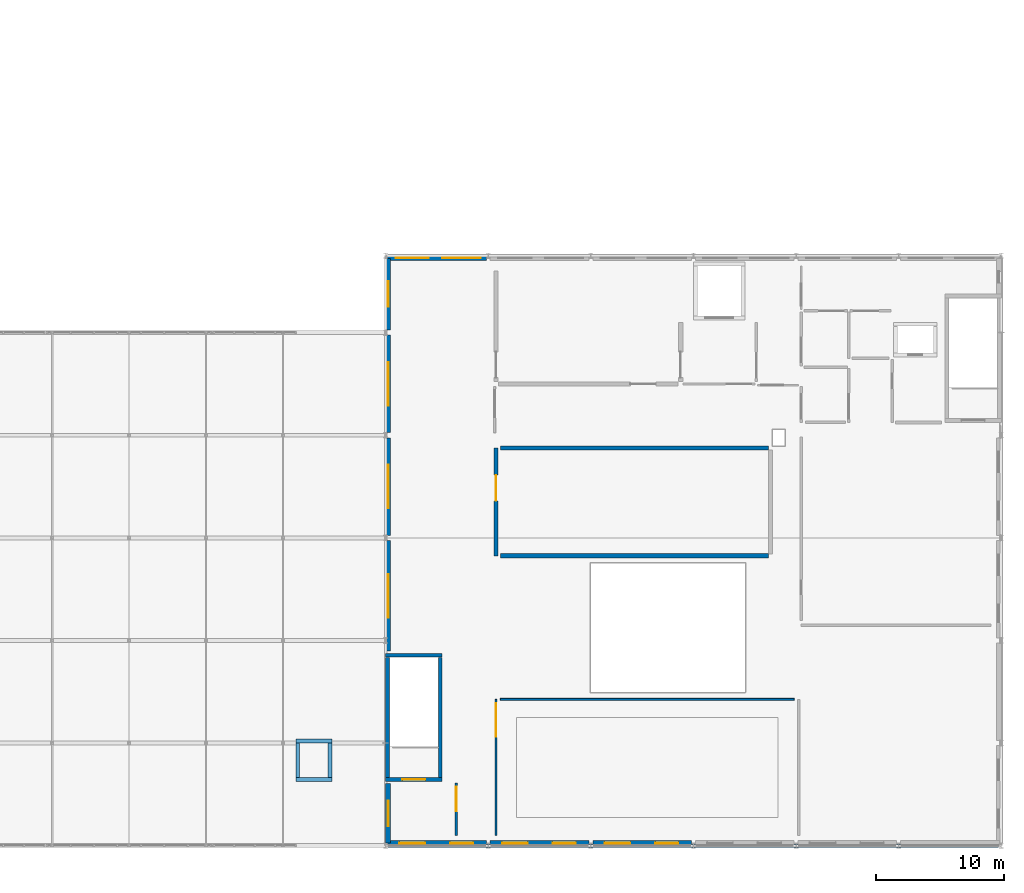
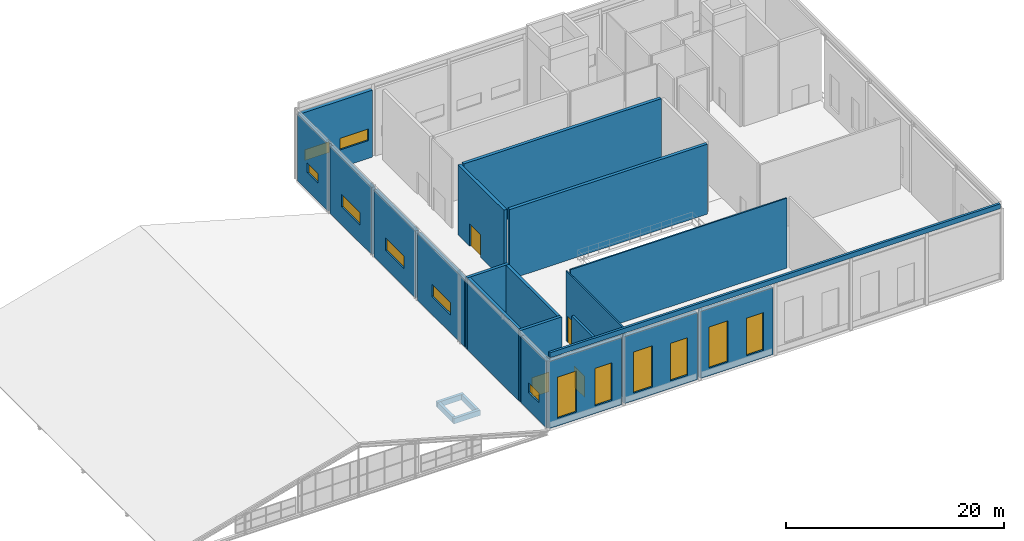
# One storey, part 41 of 49: 24 walls, 13 windows, 4 doors, 17 openings.
"""IFC4 building model written with IfcOpenShell, lengths in metres."""

import ifcopenshell
import ifcopenshell.guid

model = None  # the IFC model being written
_history = None  # IfcOwnerHistory: only IFC2X3 demands one
_inside = {}  # id of a spatial element -> (the spatial element, [elements in it])
_under = {}  # id of a project, library or spatial element -> (it, [spatial elements below it])
_declared = {}  # id of a project -> (the project, [libraries it declares])
_typed = {}  # id of a type object -> (the type object, [elements of that type])
_made_of = {}  # id of a material, layer set ... -> (it, [elements and type objects made of it])


def new_model(schema):
    """Start an empty IFC model of exactly this schema.

    Asked for "IFC4X3", IfcOpenShell would pick the latest addendum, in which some entities
    have other attributes; the version numbers below select the first issue.
    IFC2X3 requires an IfcOwnerHistory on every rooted entity: one is made here for all.
    """
    global model, _history
    if schema == "IFC4X3":
        model = ifcopenshell.file(schema_version=(4, 3, 0, 0))
    else:
        model = ifcopenshell.file(schema=schema)
    _inside.clear()
    _under.clear()
    _declared.clear()
    _typed.clear()
    _made_of.clear()
    _history = None
    if model.schema == "IFC2X3":
        org = make("IfcOrganization", Name="unknown")
        user = make(
            "IfcPersonAndOrganization",
            ThePerson=make("IfcPerson", FamilyName="unknown"),
            TheOrganization=org,
        )
        app = make(
            "IfcApplication",
            ApplicationDeveloper=org,
            Version="unknown",
            ApplicationFullName="unknown",
            ApplicationIdentifier="unknown",
        )
        _history = make(
            "IfcOwnerHistory",
            OwningUser=user,
            OwningApplication=app,
            ChangeAction="ADDED",
            CreationDate=0,
        )
    return model


def make(cls, **values):
    """One entity of the class cls with the attributes given. An attribute that is None is left unset."""
    return model.create_entity(
        cls, **{name: value for name, value in values.items() if value is not None}
    )


def rooted(cls, **values):
    """An entity with a GlobalId (a new one), such as an element, a storey or a relation."""
    return make(cls, GlobalId=ifcopenshell.guid.new(), OwnerHistory=_history, **values)


def si_unit(unit_type, name, prefix=None):
    """IfcSIUnit, for example si_unit("LENGTHUNIT", "METRE", prefix="MILLI")."""
    return make("IfcSIUnit", UnitType=unit_type, Prefix=prefix, Name=name)


def assignment(units):
    """IfcUnitAssignment: the units of a project."""
    return None if units is None else make("IfcUnitAssignment", Units=units)


def point(xyz):
    """IfcCartesianPoint."""
    return None if xyz is None else make("IfcCartesianPoint", Coordinates=xyz)


def direction(xyz):
    """IfcDirection."""
    return None if xyz is None else make("IfcDirection", DirectionRatios=xyz)


def frame(location, z_axis=None, x_axis=None):
    """IfcAxis2Placement3D, a coordinate frame: its origin and axes. An axis left out is left unset."""
    return make(
        "IfcAxis2Placement3D",
        Location=point(location),
        Axis=direction(z_axis),
        RefDirection=direction(x_axis),
    )


def frame_2d(location, x_axis=None):
    """IfcAxis2Placement2D, a coordinate frame in the plane: its origin and x axis."""
    return make(
        "IfcAxis2Placement2D", Location=point(location), RefDirection=direction(x_axis)
    )


def origin():
    """The frame at (0, 0, 0) with its axes left unset."""
    return frame((0.0, 0.0, 0.0))


def place(relative_to, where):
    """IfcLocalPlacement: puts the frame where relative to a parent placement (None: the world)."""
    return make(
        "IfcLocalPlacement", PlacementRelTo=relative_to, RelativePlacement=where
    )


def context(
    kind, dimensions, precision=None, world=None, true_north=None, identifier=None
):
    """IfcGeometricRepresentationContext, for example the 3D "Model" context."""
    return make(
        "IfcGeometricRepresentationContext",
        ContextIdentifier=identifier,
        ContextType=kind,
        CoordinateSpaceDimension=dimensions,
        Precision=precision,
        WorldCoordinateSystem=world,
        TrueNorth=true_north,
    )


def subcontext(parent, identifier, kind, view, scale=None):
    """IfcGeometricRepresentationSubContext, for example "Body" below "Model"."""
    return make(
        "IfcGeometricRepresentationSubContext",
        ContextIdentifier=identifier,
        ContextType=kind,
        ParentContext=parent,
        TargetScale=scale,
        TargetView=view,
    )


def project(units=None, contexts=None):
    """IfcProject with its units and contexts."""
    return rooted(
        "IfcProject",
        Name="project",
        RepresentationContexts=contexts,
        UnitsInContext=assignment(units),
    )


def spatial(cls, under=None, at=None, **own):
    """A site, building, storey or space (cls), placed at a placement, below another one or the project."""
    s = rooted(cls, ObjectPlacement=at, **own)
    if under is not None:
        _under.setdefault(under.id(), (under, []))[1].append(s)
    return s


def profile(cls, at=None, kind="AREA", **sizes):
    """A parametric profile (cls). Its sizes go by their IFC names, for example OverallWidth=200.0."""
    return make(cls, ProfileType=kind, Position=at, **sizes)


def rectangle(**sizes):
    """IfcRectangleProfileDef."""
    return profile("IfcRectangleProfileDef", **sizes)


def extrude(swept, where, along, depth):
    """IfcExtrudedAreaSolid: the profile swept, set in the frame where, extruded along a direction by depth."""
    return make(
        "IfcExtrudedAreaSolid",
        SweptArea=swept,
        Position=where,
        ExtrudedDirection=direction(along),
        Depth=depth,
    )


def shape(context_of_items, identifier, shape_type, items):
    """IfcShapeRepresentation: the items that make up one representation, for example the "Body"."""
    return make(
        "IfcShapeRepresentation",
        ContextOfItems=context_of_items,
        RepresentationIdentifier=identifier,
        RepresentationType=shape_type,
        Items=items,
    )


def material(Name=None, Category=None):
    """IfcMaterial."""
    return make("IfcMaterial", Name=Name, Category=Category)


def layer(
    of_material, thickness, ventilated=None, Name=None, Category=None, Priority=None
):
    """IfcMaterialLayer: one layer of a wall or slab, of a material (None: an air gap)."""
    return make(
        "IfcMaterialLayer",
        Material=of_material,
        LayerThickness=thickness,
        IsVentilated=ventilated,
        Name=Name,
        Category=Category,
        Priority=Priority,
    )


def layer_set(layers, Name=None):
    """IfcMaterialLayerSet."""
    return make("IfcMaterialLayerSet", MaterialLayers=layers, LayerSetName=Name)


def made_of(thing, what):
    """Note that an element or type object is made of a material, layer set ...; save() writes the relation."""
    if what is not None:
        _made_of.setdefault(what.id(), (what, []))[1].append(thing)
    return thing


def type_object(cls, material=None, **own):
    """A type object (cls), such as IfcWallType, which elements share."""
    return made_of(rooted(cls, **own), material)


def element(
    cls,
    number,
    at=None,
    inside=None,
    cuts=None,
    type_object=None,
    material=None,
    context=None,
    identifier="Body",
    shape_type=None,
    held_by="IfcProductDefinitionShape",
    body=None,
    shapes=None,
    **own,
):
    """One element of the class cls, such as IfcWall. Its Tag is "e" and its number.

    at: its placement. inside: the storey or other place that contains it. cuts: it is an
    opening in that element (IfcRelVoidsElement). A single representation is given by context,
    identifier, shape_type and body (its items); several are given by shapes. held_by: the class
    of the entity that holds the representations. save() writes the other relations.
    """
    e = rooted(cls, Tag="e%d" % number, ObjectPlacement=at, **own)
    if body is not None:
        shapes = [shape(context, identifier, shape_type, body)]
    if shapes is not None:
        e.Representation = make(held_by, Representations=shapes)
    if inside is not None:
        _inside.setdefault(inside.id(), (inside, []))[1].append(e)
    if cuts is not None:
        rooted(
            "IfcRelVoidsElement", RelatingBuildingElement=cuts, RelatedOpeningElement=e
        )
    if type_object is not None:
        _typed.setdefault(type_object.id(), (type_object, []))[1].append(e)
    return made_of(e, material)


def fill(opening, filler):
    """IfcRelFillsElement: the door or window that sits in an opening."""
    return rooted(
        "IfcRelFillsElement",
        RelatingOpeningElement=opening,
        RelatedBuildingElement=filler,
    )


def aggregate(whole, parts):
    """IfcRelAggregates: a whole, such as a stair, and the parts it consists of."""
    return rooted("IfcRelAggregates", RelatingObject=whole, RelatedObjects=parts)


def save(model, path):
    """Write the relations noted so far, then the file.

    IfcRelAggregates (storeys below a building ...), IfcRelContainedInSpatialStructure (elements
    in a storey), IfcRelDefinesByType, IfcRelAssociatesMaterial and IfcRelDeclares: one each for
    every whole, place, type object, material and project.
    """
    for whole, parts in _under.values():
        aggregate(whole, parts)
    for where, things in _inside.values():
        rooted(
            "IfcRelContainedInSpatialStructure",
            RelatedElements=things,
            RelatingStructure=where,
        )
    for kind, things in _typed.values():
        rooted("IfcRelDefinesByType", RelatedObjects=things, RelatingType=kind)
    for what, things in _made_of.values():
        rooted("IfcRelAssociatesMaterial", RelatedObjects=things, RelatingMaterial=what)
    for by, libraries in _declared.values():
        rooted("IfcRelDeclares", RelatingContext=by, RelatedDefinitions=libraries)
    model.write(path)


model = new_model("IFC4")

# Units and contexts
model_context = context("Model", 3, precision=1e-05, world=origin(), true_north=direction((0.0, 1.0)))
body_context = subcontext(model_context, "Body", "Model", "MODEL_VIEW")
ifc_project = project(units=[si_unit("LENGTHUNIT", "METRE"), si_unit("AREAUNIT", "SQUARE_METRE"), si_unit("VOLUMEUNIT", "CUBIC_METRE"), si_unit("PLANEANGLEUNIT", "RADIAN"), si_unit("MASSUNIT", "GRAM", prefix="KILO")], contexts=[model_context])

# Site, building, storey
site_placement = place(None, origin())
site = spatial("IfcSite", under=ifc_project, at=site_placement, CompositionType="ELEMENT")
building_placement = place(site_placement, origin())
building = spatial("IfcBuilding", under=site, at=building_placement, Name="Sundkrona Museum", CompositionType="ELEMENT")
storey_placement = place(building_placement, frame((0.0, 0.0, 26.0)))
storey = spatial("IfcBuildingStorey", under=building, at=storey_placement, Name="L05", CompositionType="ELEMENT", Elevation=26.0)

# Wall, opening, door
ifc_material_1 = material(Name="Concrete C40/50", Category="concrete")
ifc_layer_1 = layer(ifc_material_1, 0.330078125)
ifc_layer_set_1 = layer_set([ifc_layer_1], Name="Concrete C40/50")
wall_type_1 = type_object("IfcWallType", Name="W-ARC-120", PredefinedType="SOLIDWALL", material=ifc_layer_set_1)
wall_1_placement = place(storey_placement, frame((128.60009765625, 22.60009765625, 0.0), z_axis=(0.0, 0.0, 1.0), x_axis=(0.0, 1.0, 0.0)))
wall_1 = element("IfcWall", 1, at=wall_1_placement, inside=storey, type_object=wall_type_1, Name="L05 Partition Crown Sawtooth Concourse / Herbarium Specimen Archive", PredefinedType="SOLIDWALL", context=body_context, shape_type="SweptSolid", body=[
    extrude(rectangle(XDim=8.39990234375, YDim=0.330078125, at=frame_2d((4.199951171875, 0.0))), origin(), (0.0, 0.0, 1.0), 7.820068359375),
])
opening_1_placement = place(wall_1_placement, frame((4.28759765625, 0.0, 0.0)))
opening_1 = element("IfcOpeningElement", 2, at=opening_1_placement, cuts=wall_1, Name="Opening D-ARC-120", PredefinedType="OPENING", context=body_context, shape_type="SweptSolid", body=[
    extrude(rectangle(XDim=2.0, YDim=2.5, at=frame_2d((1.0, 1.25))), frame((0.0, 0.175048828125, 0.0), z_axis=(0.0, -1.0, 0.0), x_axis=(1.0, 0.0, 0.0)), (0.0, 0.0, 1.0), 0.35009765625),
])
ifc_material_2 = material(Name="Insulated Steel Vault Door", Category="steel")
door_type_1 = type_object("IfcDoorType", Name="D-ARC-120", OperationType="DOUBLE_DOOR_SINGLE_SWING", PredefinedType="DOOR", material=ifc_material_2)
door_1_placement = place(opening_1_placement, origin())
door_1 = element("IfcDoor", 3, at=door_1_placement, inside=storey, type_object=door_type_1, Name="L05 Interior Door DR-ADJ-L05-0218", OperationType="DOUBLE_DOOR_SINGLE_SWING", OverallHeight=2.5, OverallWidth=2.0, PredefinedType="DOOR", context=body_context, shape_type="SweptSolid", body=[
    extrude(rectangle(XDim=2.0, YDim=2.5, at=frame_2d((1.0, 1.25))), frame((0.0, 0.02490234375, 0.0), z_axis=(0.0, -1.0, 0.0), x_axis=(1.0, 0.0, 0.0)), (0.0, 0.0, 1.0), 0.050048828125),
])
fill(opening_1, door_1)

# Walls
for number, where, z_axis, x_axis, name in (
    (4, (128.949951171875, 22.60009765625, 0.0), (0.0, 0.0, 1.0), (1.0, 0.0, 0.0), "L05 Herbarium Specimen Archive Enclosure Wall S"),
    (5, (128.949951171875, 31.0, 0.0), (0.0, 0.0, 1.0), (1.0, 0.0, 0.0), "L05 Herbarium Specimen Archive Enclosure Wall N"),
):
    element("IfcWall", number, at=place(storey_placement, frame(where, z_axis=z_axis, x_axis=x_axis)), inside=storey, type_object=wall_type_1, Name=name, PredefinedType="SOLIDWALL", context=body_context, shape_type="SweptSolid", body=[
        extrude(rectangle(XDim=20.900146484375, YDim=0.330078125, at=frame_2d((10.4501953125, 0.0))), origin(), (0.0, 0.0, 1.0), 7.820068359375),
    ])

# Wall, opening, door
ifc_layer_2 = layer(ifc_material_1, 0.300048828125)
ifc_layer_set_2 = layer_set([ifc_layer_2], Name="Concrete C40/50")
wall_type_2 = type_object("IfcWallType", Name="W-CORE-300", PredefinedType="SHEAR", material=ifc_layer_set_2)
wall_2_placement = place(storey_placement, frame((120.0, 5.14990234375, 0.0), z_axis=(0.0, 0.0, 1.0), x_axis=(1.0, 0.0, 0.0)))
wall_2 = element("IfcWall", 6, at=wall_2_placement, inside=storey, type_object=wall_type_2, Name="L05 ST-2 Core Shear Wall South", PredefinedType="SHEAR", context=body_context, shape_type="SweptSolid", body=[
    extrude(rectangle(XDim=4.39990234375, YDim=0.300048828125, at=frame_2d((2.199951171875, 0.0))), origin(), (0.0, 0.0, 1.0), 8.0),
])
opening_2_placement = place(wall_2_placement, frame((1.300048828125, 0.0, 0.0)))
opening_2 = element("IfcOpeningElement", 7, at=opening_2_placement, cuts=wall_2, Name="Opening D-FD60", PredefinedType="OPENING", context=body_context, shape_type="SweptSolid", body=[
    extrude(rectangle(XDim=1.800048828125, YDim=2.199951171875, at=frame_2d((0.89990234375, 1.10009765625))), frame((0.0, 0.159912109375, 0.0), z_axis=(0.0, -1.0, 0.0), x_axis=(1.0, 0.0, 0.0)), (0.0, 0.0, 1.0), 0.320068359375),
])
ifc_material_3 = material(Name="Steel S355J2 Fire Door Leaf", Category="steel")
door_type_2 = type_object("IfcDoorType", Name="D-FD60", OperationType="DOUBLE_DOOR_SINGLE_SWING", PredefinedType="DOOR", material=ifc_material_3)
door_2_placement = place(opening_2_placement, origin())
door_2 = element("IfcDoor", 8, at=door_2_placement, inside=storey, type_object=door_type_2, Name="L05 ST-2 Protected Escape Stair Door DR-ST-2-L05", OperationType="DOUBLE_DOOR_SINGLE_SWING", OverallHeight=2.199951171875, OverallWidth=1.800048828125, PredefinedType="DOOR", context=body_context, shape_type="SweptSolid", body=[
    extrude(rectangle(XDim=1.800048828125, YDim=2.199951171875, at=frame_2d((0.89990234375, 1.10009765625))), frame((0.0, 0.02490234375, 0.0), z_axis=(0.0, -1.0, 0.0), x_axis=(1.0, 0.0, 0.0)), (0.0, 0.0, 1.0), 0.050048828125),
])
fill(opening_2, door_2)

# Walls
wall_3_placement = place(storey_placement, frame((120.0, 14.85009765625, 0.0), z_axis=(0.0, 0.0, 1.0), x_axis=(1.0, 0.0, 0.0)))
element("IfcWall", 9, at=wall_3_placement, inside=storey, type_object=wall_type_2, Name="L05 ST-2 Core Shear Wall North", PredefinedType="SHEAR", context=body_context, shape_type="SweptSolid", body=[
    extrude(rectangle(XDim=4.39990234375, YDim=0.300048828125, at=frame_2d((2.199951171875, 0.0))), origin(), (0.0, 0.0, 1.0), 8.0),
])
for number, where, z_axis, x_axis, name in (
    (10, (120.14990234375, 5.31005859375, 0.0), (0.0, 0.0, 1.0), (0.0, 1.0, 0.0), "L05 ST-2 Core Shear Wall West"),
    (11, (124.25, 5.31005859375, 0.0), (0.0, 0.0, 1.0), (0.0, 1.0, 0.0), "L05 ST-2 Core Shear Wall East"),
):
    element("IfcWall", number, at=place(storey_placement, frame(where, z_axis=z_axis, x_axis=x_axis)), inside=storey, type_object=wall_type_2, Name=name, PredefinedType="SHEAR", context=body_context, shape_type="SweptSolid", body=[
        extrude(rectangle(XDim=9.3798828125, YDim=0.300048828125, at=frame_2d((4.68994140625, 0.0))), origin(), (0.0, 0.0, 1.0), 8.0),
    ])
for number, where, z_axis, x_axis, name in (
    (12, (113.0, 5.14990234375, 0.0), (0.0, 0.0, 1.0), (1.0, 0.0, 0.0), "PL-2 Lift Overrun Wall South"),
    (13, (113.0, 8.14990234375, 0.0), (0.0, 0.0, 1.0), (1.0, 0.0, 0.0), "PL-2 Lift Overrun Wall North"),
):
    element("IfcWall", number, at=place(storey_placement, frame(where, z_axis=z_axis, x_axis=x_axis)), inside=storey, type_object=wall_type_2, Name=name, PredefinedType="SHEAR", context=body_context, shape_type="SweptSolid", body=[
        extrude(rectangle(XDim=2.800048828125, YDim=0.300048828125, at=frame_2d((1.39990234375, 0.0))), origin(), (0.0, 0.0, 1.0), 0.60009765625),
    ])
for number, where, z_axis, x_axis, name in (
    (14, (113.14990234375, 5.31005859375, 0.0), (0.0, 0.0, 1.0), (0.0, 1.0, 0.0), "PL-2 Lift Overrun Wall West"),
    (15, (115.64990234375, 5.31005859375, 0.0), (0.0, 0.0, 1.0), (0.0, 1.0, 0.0), "PL-2 Lift Overrun Wall East"),
):
    element("IfcWall", number, at=place(storey_placement, frame(where, z_axis=z_axis, x_axis=x_axis)), inside=storey, type_object=wall_type_2, Name=name, PredefinedType="SHEAR", context=body_context, shape_type="SweptSolid", body=[
        extrude(rectangle(XDim=2.679931640625, YDim=0.300048828125, at=frame_2d((1.33984375, 0.0))), origin(), (0.0, 0.0, 1.0), 0.60009765625),
    ])

# Wall, openings, windows
ifc_material_4 = material(Name="Scanian Polychrome Clay Brickwork 390 mm", Category="masonry")
ifc_layer_3 = layer(ifc_material_4, 0.389892578125)
ifc_layer_set_3 = layer_set([ifc_layer_3], Name="Scanian Polychrome Clay Brickwork 390 mm")
wall_type_3 = type_object("IfcWallType", Name="W-EX-390", PredefinedType="SOLIDWALL", material=ifc_layer_set_3)
wall_4_placement = place(storey_placement, frame((127.847900390625, 0.195068359375, 0.0), z_axis=(0.0, 0.0, 1.0), x_axis=(-1.0, 0.0, 0.0)))
wall_4 = element("IfcWall", 16, at=wall_4_placement, inside=storey, type_object=wall_type_3, Name="L05 Facade Wall 0068", PredefinedType="SOLIDWALL", context=body_context, shape_type="SweptSolid", body=[
    extrude(rectangle(XDim=7.69580078125, YDim=0.389892578125, at=frame_2d((3.847900390625, 0.0))), origin(), (0.0, 0.0, 1.0), 7.4951171875),
])
opening_3_placement = place(wall_4_placement, frame((1.02392578125, 0.0, 0.85009765625)))
opening_3 = element("IfcOpeningElement", 17, at=opening_3_placement, cuts=wall_4, Name="Opening WN-LN-180x420", PredefinedType="OPENING", context=body_context, shape_type="SweptSolid", body=[
    extrude(rectangle(XDim=1.800048828125, YDim=4.199951171875, at=frame_2d((0.89990234375, 2.10009765625))), frame((0.0, 0.204833984375, 0.0), z_axis=(0.0, -1.0, 0.0), x_axis=(1.0, 0.0, 0.0)), (0.0, 0.0, 1.0), 0.409912109375),
])
opening_4_placement = place(wall_4_placement, frame((4.77197265625, 0.0, 0.85009765625)))
opening_4 = element("IfcOpeningElement", 18, at=opening_4_placement, cuts=wall_4, Name="Opening WN-LN-200x460", PredefinedType="OPENING", context=body_context, shape_type="SweptSolid", body=[
    extrude(rectangle(XDim=2.0, YDim=4.60009765625, at=frame_2d((1.0, 2.300048828125))), frame((0.0, 0.204833984375, 0.0), z_axis=(0.0, -1.0, 0.0), x_axis=(1.0, 0.0, 0.0)), (0.0, 0.0, 1.0), 0.409912109375),
])
ifc_material_5 = material(Name="Triple Low-E Argon Glazing in Bronze-Anodised Aluminium", Category="aluminium")
window_type_1 = type_object("IfcWindowType", Name="WN-LN-180x420", PartitioningType="DOUBLE_PANEL_VERTICAL", PredefinedType="WINDOW", material=ifc_material_5)
window_1_placement = place(opening_3_placement, origin())
window_1 = element("IfcWindow", 19, at=window_1_placement, inside=storey, type_object=window_type_1, Name="L05 Paleontology hall tall window 1800x4200 WIN-L05-0091", OverallHeight=4.199951171875, OverallWidth=1.800048828125, PartitioningType="DOUBLE_PANEL_VERTICAL", PredefinedType="WINDOW", context=body_context, shape_type="SweptSolid", body=[
    extrude(rectangle(XDim=1.800048828125, YDim=4.199951171875, at=frame_2d((0.89990234375, 2.10009765625))), frame((0.0, 0.030029296875, 0.0), z_axis=(0.0, -1.0, 0.0), x_axis=(1.0, 0.0, 0.0)), (0.0, 0.0, 1.0), 0.06005859375),
])
fill(opening_3, window_1)
window_type_2 = type_object("IfcWindowType", Name="WN-LN-200x460", PartitioningType="TRIPLE_PANEL_VERTICAL", PredefinedType="WINDOW", material=ifc_material_5)
window_2_placement = place(opening_4_placement, origin())
window_2 = element("IfcWindow", 20, at=window_2_placement, inside=storey, type_object=window_type_2, Name="L05 Monumental hall lancet window 2000x4600 WIN-L05-0092", OverallHeight=4.60009765625, OverallWidth=2.0, PartitioningType="TRIPLE_PANEL_VERTICAL", PredefinedType="WINDOW", context=body_context, shape_type="SweptSolid", body=[
    extrude(rectangle(XDim=2.0, YDim=4.60009765625, at=frame_2d((1.0, 2.300048828125))), frame((0.0, 0.030029296875, 0.0), z_axis=(0.0, -1.0, 0.0), x_axis=(1.0, 0.0, 0.0)), (0.0, 0.0, 1.0), 0.06005859375),
])
fill(opening_4, window_2)

wall_5_placement = place(storey_placement, frame((135.847900390625, 0.195068359375, 0.0), z_axis=(0.0, 0.0, 1.0), x_axis=(-1.0, 0.0, 0.0)))
wall_5 = element("IfcWall", 21, at=wall_5_placement, inside=storey, type_object=wall_type_3, Name="L05 Facade Wall 0069", PredefinedType="SOLIDWALL", context=body_context, shape_type="SweptSolid", body=[
    extrude(rectangle(XDim=7.69580078125, YDim=0.389892578125, at=frame_2d((3.847900390625, 0.0))), origin(), (0.0, 0.0, 1.0), 7.4951171875),
])
opening_5_placement = place(wall_5_placement, frame((1.02392578125, 0.0, 0.85009765625)))
opening_5 = element("IfcOpeningElement", 22, at=opening_5_placement, cuts=wall_5, Name="Opening WN-LN-180x420", PredefinedType="OPENING", context=body_context, shape_type="SweptSolid", body=[
    extrude(rectangle(XDim=1.800048828125, YDim=4.199951171875, at=frame_2d((0.89990234375, 2.10009765625))), frame((0.0, 0.204833984375, 0.0), z_axis=(0.0, -1.0, 0.0), x_axis=(1.0, 0.0, 0.0)), (0.0, 0.0, 1.0), 0.409912109375),
])
opening_6_placement = place(wall_5_placement, frame((4.77197265625, 0.0, 0.85009765625)))
opening_6 = element("IfcOpeningElement", 23, at=opening_6_placement, cuts=wall_5, Name="Opening WN-LN-200x460", PredefinedType="OPENING", context=body_context, shape_type="SweptSolid", body=[
    extrude(rectangle(XDim=2.0, YDim=4.60009765625, at=frame_2d((1.0, 2.300048828125))), frame((0.0, 0.204833984375, 0.0), z_axis=(0.0, -1.0, 0.0), x_axis=(1.0, 0.0, 0.0)), (0.0, 0.0, 1.0), 0.409912109375),
])
window_3_placement = place(opening_5_placement, origin())
window_3 = element("IfcWindow", 24, at=window_3_placement, inside=storey, type_object=window_type_1, Name="L05 Paleontology hall tall window 1800x4200 WIN-L05-0093", OverallHeight=4.199951171875, OverallWidth=1.800048828125, PartitioningType="DOUBLE_PANEL_VERTICAL", PredefinedType="WINDOW", context=body_context, shape_type="SweptSolid", body=[
    extrude(rectangle(XDim=1.800048828125, YDim=4.199951171875, at=frame_2d((0.89990234375, 2.10009765625))), frame((0.0, 0.030029296875, 0.0), z_axis=(0.0, -1.0, 0.0), x_axis=(1.0, 0.0, 0.0)), (0.0, 0.0, 1.0), 0.06005859375),
])
fill(opening_5, window_3)
window_4_placement = place(opening_6_placement, origin())
window_4 = element("IfcWindow", 25, at=window_4_placement, inside=storey, type_object=window_type_2, Name="L05 Monumental hall lancet window 2000x4600 WIN-L05-0094", OverallHeight=4.60009765625, OverallWidth=2.0, PartitioningType="TRIPLE_PANEL_VERTICAL", PredefinedType="WINDOW", context=body_context, shape_type="SweptSolid", body=[
    extrude(rectangle(XDim=2.0, YDim=4.60009765625, at=frame_2d((1.0, 2.300048828125))), frame((0.0, 0.030029296875, 0.0), z_axis=(0.0, -1.0, 0.0), x_axis=(1.0, 0.0, 0.0)), (0.0, 0.0, 1.0), 0.06005859375),
])
fill(opening_6, window_4)

wall_6_placement = place(storey_placement, frame((143.847900390625, 0.195068359375, 0.0), z_axis=(0.0, 0.0, 1.0), x_axis=(-1.0, 0.0, 0.0)))
wall_6 = element("IfcWall", 26, at=wall_6_placement, inside=storey, type_object=wall_type_3, Name="L05 Facade Wall 0070", PredefinedType="SOLIDWALL", context=body_context, shape_type="SweptSolid", body=[
    extrude(rectangle(XDim=7.69580078125, YDim=0.389892578125, at=frame_2d((3.847900390625, 0.0))), origin(), (0.0, 0.0, 1.0), 7.4951171875),
])
opening_7_placement = place(wall_6_placement, frame((1.02392578125, 0.0, 0.85009765625)))
opening_7 = element("IfcOpeningElement", 27, at=opening_7_placement, cuts=wall_6, Name="Opening WN-LN-180x420", PredefinedType="OPENING", context=body_context, shape_type="SweptSolid", body=[
    extrude(rectangle(XDim=1.800048828125, YDim=4.199951171875, at=frame_2d((0.89990234375, 2.10009765625))), frame((0.0, 0.204833984375, 0.0), z_axis=(0.0, -1.0, 0.0), x_axis=(1.0, 0.0, 0.0)), (0.0, 0.0, 1.0), 0.409912109375),
])
opening_8_placement = place(wall_6_placement, frame((4.77197265625, 0.0, 0.85009765625)))
opening_8 = element("IfcOpeningElement", 28, at=opening_8_placement, cuts=wall_6, Name="Opening WN-LN-200x460", PredefinedType="OPENING", context=body_context, shape_type="SweptSolid", body=[
    extrude(rectangle(XDim=2.0, YDim=4.60009765625, at=frame_2d((1.0, 2.300048828125))), frame((0.0, 0.204833984375, 0.0), z_axis=(0.0, -1.0, 0.0), x_axis=(1.0, 0.0, 0.0)), (0.0, 0.0, 1.0), 0.409912109375),
])
window_5_placement = place(opening_7_placement, origin())
window_5 = element("IfcWindow", 29, at=window_5_placement, inside=storey, type_object=window_type_1, Name="L05 Paleontology hall tall window 1800x4200 WIN-L05-0095", OverallHeight=4.199951171875, OverallWidth=1.800048828125, PartitioningType="DOUBLE_PANEL_VERTICAL", PredefinedType="WINDOW", context=body_context, shape_type="SweptSolid", body=[
    extrude(rectangle(XDim=1.800048828125, YDim=4.199951171875, at=frame_2d((0.89990234375, 2.10009765625))), frame((0.0, 0.030029296875, 0.0), z_axis=(0.0, -1.0, 0.0), x_axis=(1.0, 0.0, 0.0)), (0.0, 0.0, 1.0), 0.06005859375),
])
fill(opening_7, window_5)
window_6_placement = place(opening_8_placement, origin())
window_6 = element("IfcWindow", 30, at=window_6_placement, inside=storey, type_object=window_type_2, Name="L05 Monumental hall lancet window 2000x4600 WIN-L05-0096", OverallHeight=4.60009765625, OverallWidth=2.0, PartitioningType="TRIPLE_PANEL_VERTICAL", PredefinedType="WINDOW", context=body_context, shape_type="SweptSolid", body=[
    extrude(rectangle(XDim=2.0, YDim=4.60009765625, at=frame_2d((1.0, 2.300048828125))), frame((0.0, 0.030029296875, 0.0), z_axis=(0.0, -1.0, 0.0), x_axis=(1.0, 0.0, 0.0)), (0.0, 0.0, 1.0), 0.06005859375),
])
fill(opening_8, window_6)

# Wall, opening, window
wall_7_placement = place(storey_placement, frame((120.195068359375, 0.201904296875, 0.0), z_axis=(0.0, 0.0, 1.0), x_axis=(0.0, 1.0, 0.0)))
wall_7 = element("IfcWall", 31, at=wall_7_placement, inside=storey, type_object=wall_type_3, Name="L05 Facade Wall 0085", PredefinedType="SOLIDWALL", context=body_context, shape_type="SweptSolid", body=[
    extrude(rectangle(XDim=4.63818359375, YDim=0.389892578125, at=frame_2d((2.319091796875, 0.0))), origin(), (0.0, 0.0, 1.0), 7.4951171875),
])
opening_9_placement = place(wall_7_placement, frame((1.319091796875, 0.0, 2.0)))
opening_9 = element("IfcOpeningElement", 32, at=opening_9_placement, cuts=wall_7, Name="Opening WN-CL-200x110", PredefinedType="OPENING", context=body_context, shape_type="SweptSolid", body=[
    extrude(rectangle(XDim=2.0, YDim=1.10009765625, at=frame_2d((1.0, 0.550048828125))), frame((0.0, 0.204833984375, 0.0), z_axis=(0.0, -1.0, 0.0), x_axis=(1.0, 0.0, 0.0)), (0.0, 0.0, 1.0), 0.409912109375),
])
window_type_3 = type_object("IfcWindowType", Name="WN-CL-200x110", PartitioningType="DOUBLE_PANEL_HORIZONTAL", PredefinedType="WINDOW", material=ifc_material_5)
window_7_placement = place(opening_9_placement, origin())
window_7 = element("IfcWindow", 33, at=window_7_placement, inside=storey, type_object=window_type_3, Name="L05 Archive foyer clerestory window 2000x1100 WIN-L05-0120", OverallHeight=1.10009765625, OverallWidth=2.0, PartitioningType="DOUBLE_PANEL_HORIZONTAL", PredefinedType="WINDOW", context=body_context, shape_type="SweptSolid", body=[
    extrude(rectangle(XDim=2.0, YDim=1.10009765625, at=frame_2d((1.0, 0.550048828125))), frame((0.0, 0.030029296875, 0.0), z_axis=(0.0, -1.0, 0.0), x_axis=(1.0, 0.0, 0.0)), (0.0, 0.0, 1.0), 0.06005859375),
])
fill(opening_9, window_7)

wall_8_placement = place(storey_placement, frame((120.195068359375, 15.159912109375, 0.0), z_axis=(0.0, 0.0, 1.0), x_axis=(0.0, 1.0, 0.0)))
wall_8 = element("IfcWall", 34, at=wall_8_placement, inside=storey, type_object=wall_type_3, Name="L05 Facade Wall 0086", PredefinedType="SOLIDWALL", context=body_context, shape_type="SweptSolid", body=[
    extrude(rectangle(XDim=8.63818359375, YDim=0.389892578125, at=frame_2d((4.319091796875, 0.0))), origin(), (0.0, 0.0, 1.0), 7.4951171875),
])
opening_10_placement = place(wall_8_placement, frame((2.618896484375, 0.0, 2.0)))
opening_10 = element("IfcOpeningElement", 35, at=opening_10_placement, cuts=wall_8, Name="Opening WN-CL-340x140", PredefinedType="OPENING", context=body_context, shape_type="SweptSolid", body=[
    extrude(rectangle(XDim=3.39990234375, YDim=1.39990234375, at=frame_2d((1.699951171875, 0.699951171875))), frame((0.0, 0.204833984375, 0.0), z_axis=(0.0, -1.0, 0.0), x_axis=(1.0, 0.0, 0.0)), (0.0, 0.0, 1.0), 0.409912109375),
])
window_type_4 = type_object("IfcWindowType", Name="WN-CL-340x140", PartitioningType="TRIPLE_PANEL_HORIZONTAL", PredefinedType="WINDOW", material=ifc_material_5)
window_8_placement = place(opening_10_placement, origin())
window_8 = element("IfcWindow", 36, at=window_8_placement, inside=storey, type_object=window_type_4, Name="L05 Top-lit crown clerestory window 3400x1400 WIN-L05-0121", OverallHeight=1.39990234375, OverallWidth=3.39990234375, PartitioningType="TRIPLE_PANEL_HORIZONTAL", PredefinedType="WINDOW", context=body_context, shape_type="SweptSolid", body=[
    extrude(rectangle(XDim=3.39990234375, YDim=1.39990234375, at=frame_2d((1.699951171875, 0.699951171875))), frame((0.0, 0.030029296875, 0.0), z_axis=(0.0, -1.0, 0.0), x_axis=(1.0, 0.0, 0.0)), (0.0, 0.0, 1.0), 0.06005859375),
])
fill(opening_10, window_8)

wall_9_placement = place(storey_placement, frame((120.195068359375, 24.201904296875, 0.0), z_axis=(0.0, 0.0, 1.0), x_axis=(0.0, 1.0, 0.0)))
wall_9 = element("IfcWall", 37, at=wall_9_placement, inside=storey, type_object=wall_type_3, Name="L05 Facade Wall 0087", PredefinedType="SOLIDWALL", context=body_context, shape_type="SweptSolid", body=[
    extrude(rectangle(XDim=7.59619140625, YDim=0.389892578125, at=frame_2d((3.798095703125, 0.0))), origin(), (0.0, 0.0, 1.0), 7.4951171875),
])
opening_11_placement = place(wall_9_placement, frame((2.097900390625, 0.0, 2.0)))
opening_11 = element("IfcOpeningElement", 38, at=opening_11_placement, cuts=wall_9, Name="Opening WN-CL-340x140", PredefinedType="OPENING", context=body_context, shape_type="SweptSolid", body=[
    extrude(rectangle(XDim=3.39990234375, YDim=1.39990234375, at=frame_2d((1.699951171875, 0.699951171875))), frame((0.0, 0.204833984375, 0.0), z_axis=(0.0, -1.0, 0.0), x_axis=(1.0, 0.0, 0.0)), (0.0, 0.0, 1.0), 0.409912109375),
])
window_9_placement = place(opening_11_placement, origin())
window_9 = element("IfcWindow", 39, at=window_9_placement, inside=storey, type_object=window_type_4, Name="L05 Top-lit crown clerestory window 3400x1400 WIN-L05-0122", OverallHeight=1.39990234375, OverallWidth=3.39990234375, PartitioningType="TRIPLE_PANEL_HORIZONTAL", PredefinedType="WINDOW", context=body_context, shape_type="SweptSolid", body=[
    extrude(rectangle(XDim=3.39990234375, YDim=1.39990234375, at=frame_2d((1.699951171875, 0.699951171875))), frame((0.0, 0.030029296875, 0.0), z_axis=(0.0, -1.0, 0.0), x_axis=(1.0, 0.0, 0.0)), (0.0, 0.0, 1.0), 0.06005859375),
])
fill(opening_11, window_9)

wall_10_placement = place(storey_placement, frame((120.195068359375, 32.201904296875, 0.0), z_axis=(0.0, 0.0, 1.0), x_axis=(0.0, 1.0, 0.0)))
wall_10 = element("IfcWall", 40, at=wall_10_placement, inside=storey, type_object=wall_type_3, Name="L05 Facade Wall 0088", PredefinedType="SOLIDWALL", context=body_context, shape_type="SweptSolid", body=[
    extrude(rectangle(XDim=7.59619140625, YDim=0.389892578125, at=frame_2d((3.798095703125, 0.0))), origin(), (0.0, 0.0, 1.0), 7.4951171875),
])
opening_12_placement = place(wall_10_placement, frame((2.097900390625, 0.0, 2.0)))
opening_12 = element("IfcOpeningElement", 41, at=opening_12_placement, cuts=wall_10, Name="Opening WN-CL-340x140", PredefinedType="OPENING", context=body_context, shape_type="SweptSolid", body=[
    extrude(rectangle(XDim=3.39990234375, YDim=1.39990234375, at=frame_2d((1.699951171875, 0.699951171875))), frame((0.0, 0.204833984375, 0.0), z_axis=(0.0, -1.0, 0.0), x_axis=(1.0, 0.0, 0.0)), (0.0, 0.0, 1.0), 0.409912109375),
])
window_10_placement = place(opening_12_placement, origin())
window_10 = element("IfcWindow", 42, at=window_10_placement, inside=storey, type_object=window_type_4, Name="L05 Top-lit crown clerestory window 3400x1400 WIN-L05-0123", OverallHeight=1.39990234375, OverallWidth=3.39990234375, PartitioningType="TRIPLE_PANEL_HORIZONTAL", PredefinedType="WINDOW", context=body_context, shape_type="SweptSolid", body=[
    extrude(rectangle(XDim=3.39990234375, YDim=1.39990234375, at=frame_2d((1.699951171875, 0.699951171875))), frame((0.0, 0.030029296875, 0.0), z_axis=(0.0, -1.0, 0.0), x_axis=(1.0, 0.0, 0.0)), (0.0, 0.0, 1.0), 0.06005859375),
])
fill(opening_12, window_10)

wall_11_placement = place(storey_placement, frame((120.195068359375, 40.201904296875, 0.0), z_axis=(0.0, 0.0, 1.0), x_axis=(0.0, 1.0, 0.0)))
wall_11 = element("IfcWall", 43, at=wall_11_placement, inside=storey, type_object=wall_type_3, Name="L05 Facade Wall 0089", PredefinedType="SOLIDWALL", context=body_context, shape_type="SweptSolid", body=[
    extrude(rectangle(XDim=5.59619140625, YDim=0.389892578125, at=frame_2d((2.798095703125, 0.0))), origin(), (0.0, 0.0, 1.0), 7.4951171875),
])
opening_13_placement = place(wall_11_placement, frame((1.798095703125, 0.0, 2.0)))
opening_13 = element("IfcOpeningElement", 44, at=opening_13_placement, cuts=wall_11, Name="Opening WN-CL-200x110", PredefinedType="OPENING", context=body_context, shape_type="SweptSolid", body=[
    extrude(rectangle(XDim=2.0, YDim=1.10009765625, at=frame_2d((1.0, 0.550048828125))), frame((0.0, 0.204833984375, 0.0), z_axis=(0.0, -1.0, 0.0), x_axis=(1.0, 0.0, 0.0)), (0.0, 0.0, 1.0), 0.409912109375),
])
window_11_placement = place(opening_13_placement, origin())
window_11 = element("IfcWindow", 45, at=window_11_placement, inside=storey, type_object=window_type_3, Name="L05 Archive foyer clerestory window 2000x1100 WIN-L05-0124", OverallHeight=1.10009765625, OverallWidth=2.0, PartitioningType="DOUBLE_PANEL_HORIZONTAL", PredefinedType="WINDOW", context=body_context, shape_type="SweptSolid", body=[
    extrude(rectangle(XDim=2.0, YDim=1.10009765625, at=frame_2d((1.0, 0.550048828125))), frame((0.0, 0.030029296875, 0.0), z_axis=(0.0, -1.0, 0.0), x_axis=(1.0, 0.0, 0.0)), (0.0, 0.0, 1.0), 0.06005859375),
])
fill(opening_13, window_11)

# Wall, opening, door
ifc_material_6 = material(Name="Autoclaved Aerated Masonry 225 mm", Category="masonry")
ifc_layer_4 = layer(ifc_material_6, 0.22509765625)
ifc_layer_set_4 = layer_set([ifc_layer_4], Name="Autoclaved Aerated Masonry 225 mm")
wall_type_4 = type_object("IfcWallType", Name="W-FF-225", PredefinedType="SOLIDWALL", material=ifc_layer_set_4)
wall_12_placement = place(storey_placement, frame((125.5, 0.800048828125, 0.0), z_axis=(0.0, 0.0, 1.0), x_axis=(0.0, 1.0, 0.0)))
wall_12 = element("IfcWall", 46, at=wall_12_placement, inside=storey, type_object=wall_type_4, Name="L05 Partition Core 2 Stair Lobby / Crown Sawtooth Concourse", PredefinedType="SOLIDWALL", context=body_context, shape_type="SweptSolid", body=[
    extrude(rectangle(XDim=4.099853515625, YDim=0.22509765625, at=frame_2d((2.0498046875, 0.0))), origin(), (0.0, 0.0, 1.0), 7.820068359375),
])
opening_14_placement = place(wall_12_placement, frame((1.89990234375, 0.0, 0.0)))
opening_14 = element("IfcOpeningElement", 47, at=opening_14_placement, cuts=wall_12, Name="Opening D-AUD-190", PredefinedType="OPENING", context=body_context, shape_type="SweptSolid", body=[
    extrude(rectangle(XDim=1.89990234375, YDim=2.35009765625, at=frame_2d((0.949951171875, 1.175048828125))), frame((0.0, 0.12255859375, 0.0), z_axis=(0.0, -1.0, 0.0), x_axis=(1.0, 0.0, 0.0)), (0.0, 0.0, 1.0), 0.2451171875),
])
ifc_material_7 = material(Name="Acoustic Oak Fire Door", Category="other")
door_type_3 = type_object("IfcDoorType", Name="D-AUD-190", OperationType="DOUBLE_DOOR_SINGLE_SWING", PredefinedType="DOOR", material=ifc_material_7)
door_3_placement = place(opening_14_placement, origin())
door_3 = element("IfcDoor", 48, at=door_3_placement, inside=storey, type_object=door_type_3, Name="L05 Interior Door DR-ADJ-L05-0215", OperationType="DOUBLE_DOOR_SINGLE_SWING", OverallHeight=2.35009765625, OverallWidth=1.89990234375, PredefinedType="DOOR", context=body_context, shape_type="SweptSolid", body=[
    extrude(rectangle(XDim=1.89990234375, YDim=2.35009765625, at=frame_2d((0.949951171875, 1.175048828125))), frame((0.0, 0.02490234375, 0.0), z_axis=(0.0, -1.0, 0.0), x_axis=(1.0, 0.0, 0.0)), (0.0, 0.0, 1.0), 0.050048828125),
])
fill(opening_14, door_3)

# Wall
ifc_material_8 = material(Name="Copper-capped Scanian Brick Masonry 250 mm", Category="masonry")
ifc_layer_5 = layer(ifc_material_8, 0.25)
ifc_layer_set_5 = layer_set([ifc_layer_5], Name="Copper-capped Scanian Brick Masonry 250 mm")
wall_type_5 = type_object("IfcWallType", Name="W-PR-250", PredefinedType="PARAPET", material=ifc_layer_set_5)
wall_13_placement = place(storey_placement, frame((120.199951171875, 0.0, 8.0), z_axis=(0.0, 0.0, 1.0), x_axis=(1.0, 0.0, 0.0)))
element("IfcWall", 49, at=wall_13_placement, inside=storey, type_object=wall_type_5, Name="L05 Roof Parapet Upstand 04", PredefinedType="PARAPET", context=body_context, shape_type="SweptSolid", body=[
    extrude(rectangle(XDim=47.60009765625, YDim=0.25, at=frame_2d((23.800048828125, 0.0))), origin(), (0.0, 0.0, 1.0), 0.550048828125),
])

# Wall, opening, door
ifc_material_9 = material(Name="Acoustic Gypsum Partition Board 150 mm", Category="other")
ifc_layer_6 = layer(ifc_material_9, 0.14990234375)
ifc_layer_set_6 = layer_set([ifc_layer_6], Name="Acoustic Gypsum Partition Board 150 mm")
wall_type_6 = type_object("IfcWallType", Name="W-PT-150", PredefinedType="PARTITIONING", material=ifc_layer_set_6)
wall_14_placement = place(storey_placement, frame((128.60009765625, 0.800048828125, 0.0), z_axis=(0.0, 0.0, 1.0), x_axis=(0.0, 1.0, 0.0)))
wall_14 = element("IfcWall", 50, at=wall_14_placement, inside=storey, type_object=wall_type_6, Name="L05 Partition Crown Sawtooth Concourse / Top-Lit Sawtooth Gallery", PredefinedType="PARTITIONING", context=body_context, shape_type="SweptSolid", body=[
    extrude(rectangle(XDim=10.599853515625, YDim=0.14990234375, at=frame_2d((5.2998046875, 0.0))), origin(), (0.0, 0.0, 1.0), 7.820068359375),
])
opening_15_placement = place(wall_14_placement, frame((7.699951171875, 0.0, 0.0)))
opening_15 = element("IfcOpeningElement", 51, at=opening_15_placement, cuts=wall_14, Name="Opening D-GAL-260", PredefinedType="OPENING", context=body_context, shape_type="SweptSolid", body=[
    extrude(rectangle(XDim=2.60009765625, YDim=2.89990234375, at=frame_2d((1.300048828125, 1.449951171875))), frame((0.0, 0.0849609375, 0.0), z_axis=(0.0, -1.0, 0.0), x_axis=(1.0, 0.0, 0.0)), (0.0, 0.0, 1.0), 0.169921875),
])
ifc_material_10 = material(Name="European Oak and Bronze Portal", Category="other")
door_type_4 = type_object("IfcDoorType", Name="D-GAL-260", OperationType="DOUBLE_DOOR_DOUBLE_SWING", PredefinedType="DOOR", material=ifc_material_10)
door_4_placement = place(opening_15_placement, origin())
door_4 = element("IfcDoor", 52, at=door_4_placement, inside=storey, type_object=door_type_4, Name="L05 Interior Door DR-ADJ-L05-0217", OperationType="DOUBLE_DOOR_DOUBLE_SWING", OverallHeight=2.89990234375, OverallWidth=2.60009765625, PredefinedType="DOOR", context=body_context, shape_type="SweptSolid", body=[
    extrude(rectangle(XDim=2.60009765625, YDim=2.89990234375, at=frame_2d((1.300048828125, 1.449951171875))), frame((0.0, 0.02490234375, 0.0), z_axis=(0.0, -1.0, 0.0), x_axis=(1.0, 0.0, 0.0)), (0.0, 0.0, 1.0), 0.050048828125),
])
fill(opening_15, door_4)

# Wall
wall_15_placement = place(storey_placement, frame((128.949951171875, 11.39990234375, 0.0), z_axis=(0.0, 0.0, 1.0), x_axis=(1.0, 0.0, 0.0)))
element("IfcWall", 53, at=wall_15_placement, inside=storey, type_object=wall_type_6, Name="L05 Top-Lit Sawtooth Gallery Enclosure Wall N", PredefinedType="PARTITIONING", context=body_context, shape_type="SweptSolid", body=[
    extrude(rectangle(XDim=22.900146484375, YDim=0.14990234375, at=frame_2d((11.4501953125, 0.0))), origin(), (0.0, 0.0, 1.0), 7.820068359375),
])

# Wall, openings, windows
ifc_material_11 = material(Name="Vitrified Stoneware Mosaic Cladding 360 mm", Category="masonry")
ifc_layer_7 = layer(ifc_material_11, 0.360107421875)
ifc_layer_set_7 = layer_set([ifc_layer_7], Name="Vitrified Stoneware Mosaic Cladding 360 mm")
wall_type_7 = type_object("IfcWallType", Name="W-SP-360", PredefinedType="ELEMENTEDWALL", material=ifc_layer_set_7)
wall_16_placement = place(storey_placement, frame((120.152099609375, 45.820068359375, 0.0), z_axis=(0.0, 0.0, 1.0), x_axis=(1.0, 0.0, 0.0)))
wall_16 = element("IfcWall", 54, at=wall_16_placement, inside=storey, type_object=wall_type_7, Name="L05 Facade Wall 0079", PredefinedType="ELEMENTEDWALL", context=body_context, shape_type="SweptSolid", body=[
    extrude(rectangle(XDim=7.69580078125, YDim=0.360107421875, at=frame_2d((3.847900390625, 0.0))), origin(), (0.0, 0.0, 1.0), 7.4951171875),
])
opening_16_placement = place(wall_16_placement, frame((0.6240234375, 0.0, 2.0)))
opening_16 = element("IfcOpeningElement", 55, at=opening_16_placement, cuts=wall_16, Name="Opening WN-CL-260x120", PredefinedType="OPENING", context=body_context, shape_type="SweptSolid", body=[
    extrude(rectangle(XDim=2.60009765625, YDim=1.199951171875, at=frame_2d((1.300048828125, 0.60009765625))), frame((0.0, 0.18994140625, 0.0), z_axis=(0.0, -1.0, 0.0), x_axis=(1.0, 0.0, 0.0)), (0.0, 0.0, 1.0), 0.380126953125),
])
opening_17_placement = place(wall_16_placement, frame((4.27197265625, 0.0, 2.0)))
opening_17 = element("IfcOpeningElement", 56, at=opening_17_placement, cuts=wall_16, Name="Opening WN-CL-300x130", PredefinedType="OPENING", context=body_context, shape_type="SweptSolid", body=[
    extrude(rectangle(XDim=3.0, YDim=1.300048828125, at=frame_2d((1.5, 0.64990234375))), frame((0.0, 0.18994140625, 0.0), z_axis=(0.0, -1.0, 0.0), x_axis=(1.0, 0.0, 0.0)), (0.0, 0.0, 1.0), 0.380126953125),
])
window_type_5 = type_object("IfcWindowType", Name="WN-CL-260x120", PartitioningType="DOUBLE_PANEL_HORIZONTAL", PredefinedType="WINDOW", material=ifc_material_5)
window_12_placement = place(opening_16_placement, origin())
window_12 = element("IfcWindow", 57, at=window_12_placement, inside=storey, type_object=window_type_5, Name="L05 High-level gallery clerestory ribbon window 2600x1200 WIN-L05-0108", OverallHeight=1.199951171875, OverallWidth=2.60009765625, PartitioningType="DOUBLE_PANEL_HORIZONTAL", PredefinedType="WINDOW", context=body_context, shape_type="SweptSolid", body=[
    extrude(rectangle(XDim=2.60009765625, YDim=1.199951171875, at=frame_2d((1.300048828125, 0.60009765625))), frame((0.0, 0.030029296875, 0.0), z_axis=(0.0, -1.0, 0.0), x_axis=(1.0, 0.0, 0.0)), (0.0, 0.0, 1.0), 0.06005859375),
])
fill(opening_16, window_12)
window_type_6 = type_object("IfcWindowType", Name="WN-CL-300x130", PartitioningType="TRIPLE_PANEL_HORIZONTAL", PredefinedType="WINDOW", material=ifc_material_5)
window_13_placement = place(opening_17_placement, origin())
window_13 = element("IfcWindow", 58, at=window_13_placement, inside=storey, type_object=window_type_6, Name="L05 Exhibition clerestory window 3000x1300 WIN-L05-0109", OverallHeight=1.300048828125, OverallWidth=3.0, PartitioningType="TRIPLE_PANEL_HORIZONTAL", PredefinedType="WINDOW", context=body_context, shape_type="SweptSolid", body=[
    extrude(rectangle(XDim=3.0, YDim=1.300048828125, at=frame_2d((1.5, 0.64990234375))), frame((0.0, 0.030029296875, 0.0), z_axis=(0.0, -1.0, 0.0), x_axis=(1.0, 0.0, 0.0)), (0.0, 0.0, 1.0), 0.06005859375),
])
fill(opening_17, window_13)

save(model, "model.ifc")
